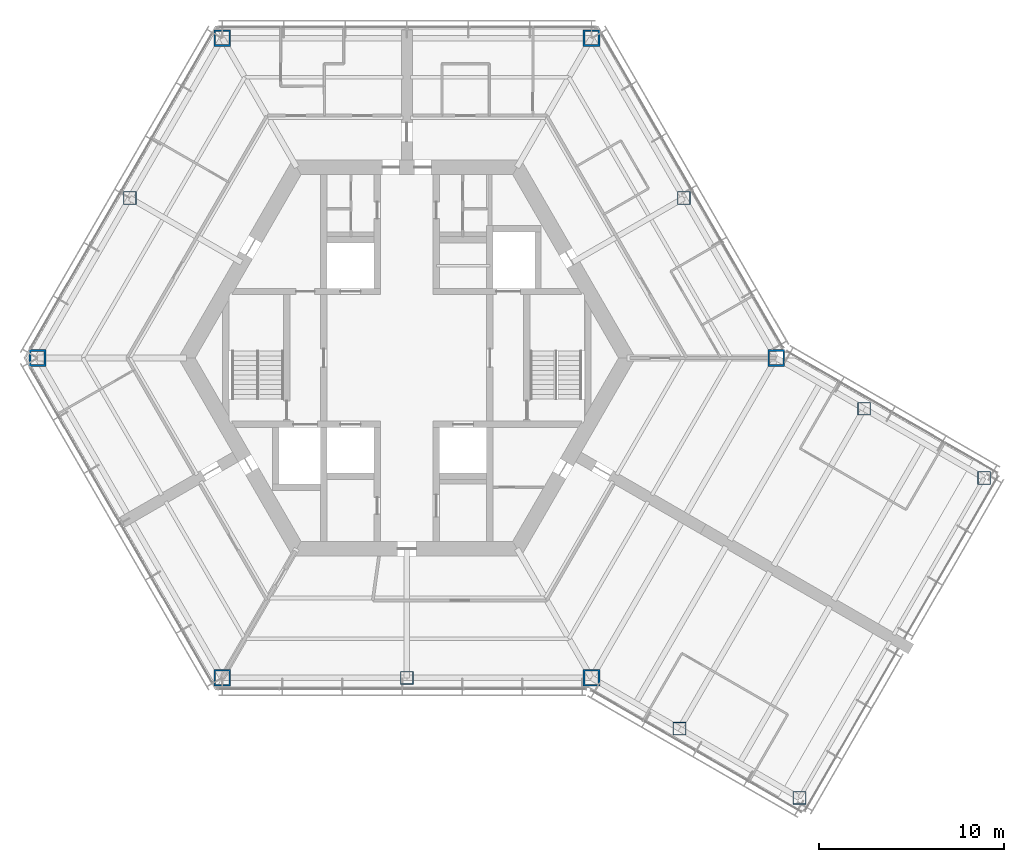
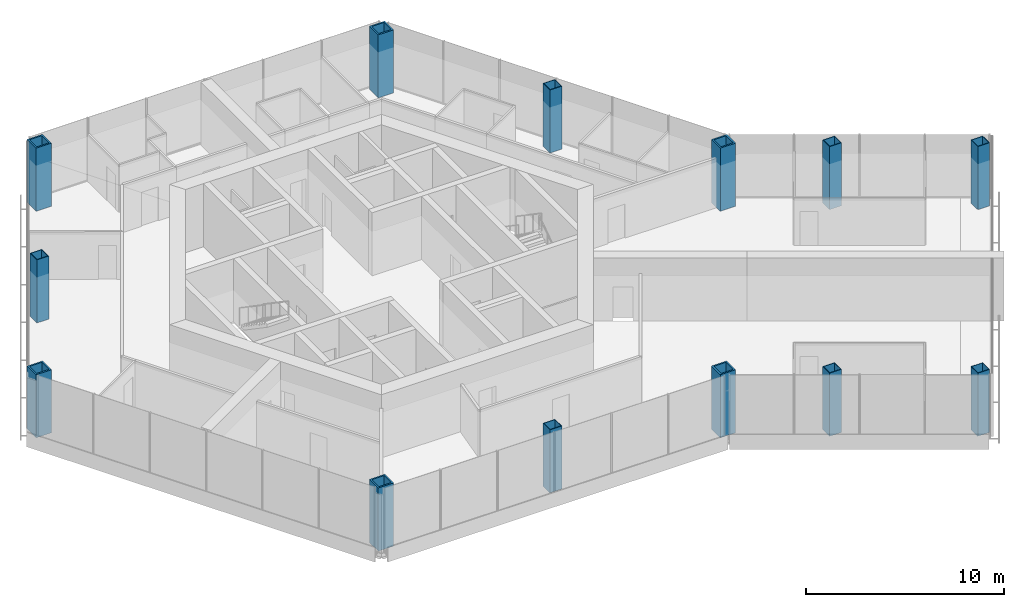
# One storey, part 1 of 15: 13 columns.
"""IFC4 building model written with IfcOpenShell, lengths in metres."""

from ifc_helpers import new_model, si_unit, direction, frame, origin, origin_2d, place, context, subcontext, project, spatial, hollow_rectangle, extrude, material, material_profile, profile_set, type_object, element, save


model = new_model("IFC4")

# Units and contexts
model_context = context("Model", 3, precision=1e-05, world=origin(), true_north=direction((0.0, 1.0)))
body_context = subcontext(model_context, "Body", "Model", "MODEL_VIEW")
ifc_project = project(units=[si_unit("LENGTHUNIT", "METRE"), si_unit("AREAUNIT", "SQUARE_METRE"), si_unit("VOLUMEUNIT", "CUBIC_METRE"), si_unit("PLANEANGLEUNIT", "RADIAN"), si_unit("MASSUNIT", "GRAM", prefix="KILO")], contexts=[model_context])

# Site, building, storey
site_placement = place(None, origin())
site = spatial("IfcSite", under=ifc_project, at=site_placement, CompositionType="ELEMENT")
building_placement = place(site_placement, origin())
building = spatial("IfcBuilding", under=site, at=building_placement, Name="Kasaneha Research Tower", CompositionType="ELEMENT")
storey_placement = place(building_placement, frame((0.0, 0.0, 212.800048828125)))
storey = spatial("IfcBuildingStorey", under=building, at=storey_placement, Name="L53", CompositionType="ELEMENT", Elevation=212.800048828125)

# Columns
ifc_material_1 = material(Name="Steel SN490C", Category="steel")
ifc_material_profile_1 = material_profile(ifc_material_1, hollow_rectangle(XDim=0.699951171875, YDim=0.699951171875, WallThickness=0.035888671875, at=origin_2d()), Name="BOX-700x700x36")
ifc_profile_set_1 = profile_set([ifc_material_profile_1], Name="Steel SN490C")
column_type_1 = type_object("IfcColumnType", Name="C3B column BOX-700x700x36", PredefinedType="COLUMN", material=ifc_profile_set_1)
for number, where, z_axis, x_axis, name in (
    (1, (15.0, 8.66015625, 0.0), (0.0, 0.0, 1.0), (1.0, 0.0, 0.0), "Column M030 L53"),
    (2, (-15.0, 8.66015625, 0.0), (0.0, 0.0, 1.0), (1.0, 0.0, 0.0), "Column M150 L53"),
    (3, (0.0, -17.320556640625, 0.0), (0.0, 0.0, 1.0), (1.0, 0.0, 0.0), "Column M270 L53"),
    (4, (14.76318359375, -20.070556640625, 0.0), (0.0, 0.0, 1.0), (1.0, 0.0, 0.0), "Column CSP L53"),
    (5, (21.25830078125, -23.820556640625, 0.0), (0.0, 0.0, 1.0), (1.0, 0.0, 0.0), "Column CTP L53"),
    (6, (24.76318359375, -2.75, 0.0), (0.0, 0.0, 1.0), (1.0, 0.0, 0.0), "Column CSN L53"),
    (7, (31.25830078125, -6.5, 0.0), (0.0, 0.0, 1.0), (1.0, 0.0, 0.0), "Column CTN L53"),
):
    element("IfcColumn", number, at=place(storey_placement, frame(where, z_axis=z_axis, x_axis=x_axis)), inside=storey, type_object=column_type_1, Name=name, PredefinedType="COLUMN", context=body_context, shape_type="SweptSolid", body=[
        extrude(hollow_rectangle(XDim=0.699951171875, YDim=0.699951171875, WallThickness=0.035888671875, at=origin_2d()), origin(), (0.0, 0.0, 1.0), 3.89990234375),
    ])
ifc_material_2 = material(Name="Steel SN490C", Category="steel")
ifc_material_profile_2 = material_profile(ifc_material_2, hollow_rectangle(XDim=0.89990234375, YDim=0.89990234375, WallThickness=0.090087890625, at=origin_2d()), Name="BOX-900x900x90")
ifc_profile_set_2 = profile_set([ifc_material_profile_2], Name="Steel SN490C")
column_type_2 = type_object("IfcColumnType", Name="CT2 column BOX-900x900x90", PredefinedType="COLUMN", material=ifc_profile_set_2)
for number, where, z_axis, x_axis, name in (
    (8, (20.0, 0.0, 0.0), (0.0, 0.0, 1.0), (1.0, 0.0, 0.0), "Column V0 L53"),
    (9, (10.0, 17.320556640625, 0.0), (0.0, 0.0, 1.0), (1.0, 0.0, 0.0), "Column V1 L53"),
    (10, (-10.0, 17.320556640625, 0.0), (0.0, 0.0, 1.0), (1.0, 0.0, 0.0), "Column V2 L53"),
    (11, (-20.0, 0.0, 0.0), (0.0, 0.0, 1.0), (1.0, 0.0, 0.0), "Column V3 L53"),
    (12, (-10.0, -17.320556640625, 0.0), (0.0, 0.0, 1.0), (1.0, 0.0, 0.0), "Column V4 L53"),
    (13, (10.0, -17.320556640625, 0.0), (0.0, 0.0, 1.0), (1.0, 0.0, 0.0), "Column V5 L53"),
):
    element("IfcColumn", number, at=place(storey_placement, frame(where, z_axis=z_axis, x_axis=x_axis)), inside=storey, type_object=column_type_2, Name=name, PredefinedType="COLUMN", context=body_context, shape_type="SweptSolid", body=[
        extrude(hollow_rectangle(XDim=0.89990234375, YDim=0.89990234375, WallThickness=0.090087890625, at=origin_2d()), origin(), (0.0, 0.0, 1.0), 3.89990234375),
    ])

save(model, "model.ifc")
